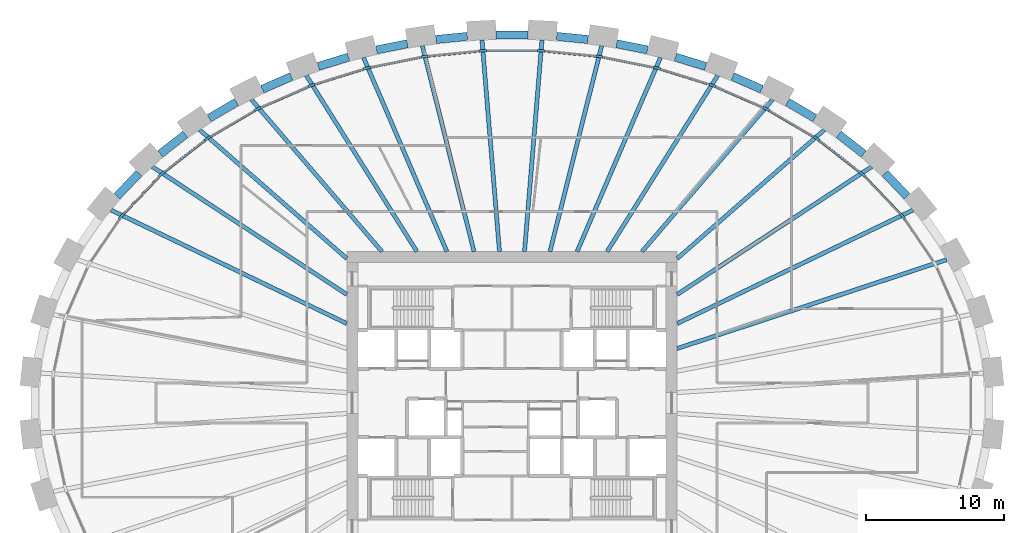
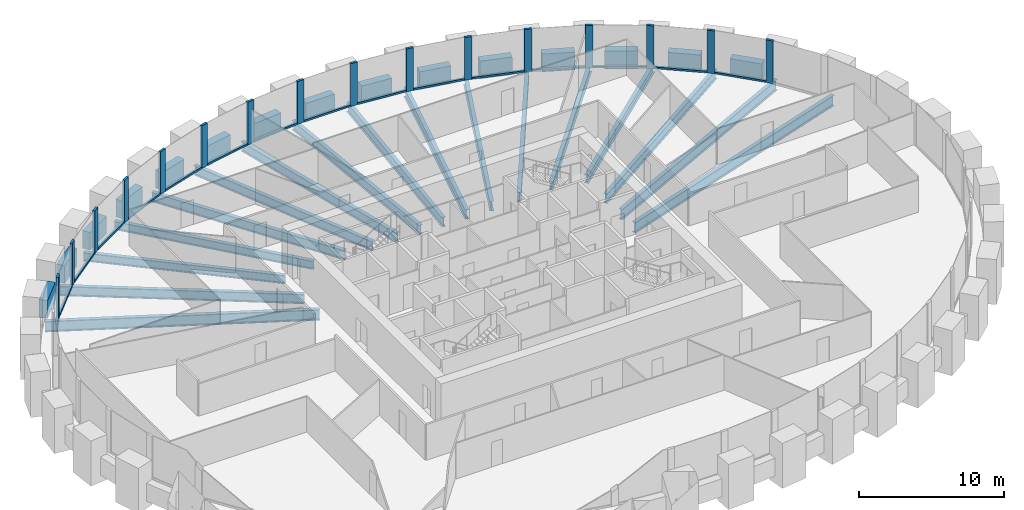
# One storey, part 3 of 11: 32 beams, 31 members, 1 element without a shape of its own.
"""IFC4 building model written with IfcOpenShell, lengths in metres."""

from ifc_helpers import new_model, si_unit, direction, frame, origin, origin_2d, place, context, subcontext, project, spatial, rectangle, i_section, extrude, source, transform, mapped, material, material_profile, profile_set, type_object, element, aggregate, save


model = new_model("IFC4")

# Units and contexts
model_context = context("Model", 3, precision=1e-05, world=origin(), true_north=direction((0.0, 1.0)))
body_context = subcontext(model_context, "Body", "Model", "MODEL_VIEW")
ifc_project = project(units=[si_unit("LENGTHUNIT", "METRE"), si_unit("AREAUNIT", "SQUARE_METRE"), si_unit("VOLUMEUNIT", "CUBIC_METRE"), si_unit("PLANEANGLEUNIT", "RADIAN"), si_unit("MASSUNIT", "GRAM", prefix="KILO")], contexts=[model_context])

# Site, building, storey
site_placement = place(None, origin())
site = spatial("IfcSite", under=ifc_project, at=site_placement, CompositionType="ELEMENT")
building_placement = place(site_placement, origin())
building = spatial("IfcBuilding", under=site, at=building_placement, Name="Embergate Tower", CompositionType="ELEMENT")
storey_placement = place(building_placement, frame((0.0, 0.0, 230.699951171875)))
storey = spatial("IfcBuildingStorey", under=building, at=storey_placement, Name="L53", CompositionType="ELEMENT", Elevation=230.699951171875)

# Beams
ifc_material_1 = material(Name="Concrete C60", Category="concrete")
ifc_material_profile_1 = material_profile(ifc_material_1, rectangle(XDim=0.60009765625, YDim=1.5, at=origin_2d()), Name="RC 600x1500")
ifc_profile_set_1 = profile_set([ifc_material_profile_1], Name="Concrete C60")
beam_type_1 = type_object("IfcBeamType", Name="Spandrel beam RC 600x1500 C60", PredefinedType="BEAM", material=ifc_profile_set_1)
shared_shape_1 = source(origin(), body_context, "Body", "SweptSolid", [
    extrude(rectangle(XDim=0.60009765625, YDim=1.5, at=origin_2d()), origin(), (0.0, 0.0, 1.0), 2.30712890625),
])
for number, where, z_axis, x_axis, name in (
    (1, (28.697998046875, 15.01611328125, 0.0), (-0.690460646057, 0.723369958076, 0.0), (-0.723369958076, -0.690460646057, 0.0), "SPN-L53-03"),
    (2, (-27.10498046875, 16.68505859375, 0.0), (-0.690460646057, -0.723369958076, 0.0), (0.723369958076, -0.690460646057, 0.0), "SPN-L53-17"),
):
    element("IfcBeam", number, at=place(storey_placement, frame(where, z_axis=z_axis, x_axis=x_axis)), inside=storey, type_object=beam_type_1, Name=name, PredefinedType="BEAM", context=body_context, shape_type="MappedRepresentation", body=[
        mapped(shared_shape_1, transform((0.0, 0.0, 0.0))),
    ])
shared_shape_2 = source(origin(), body_context, "Body", "SweptSolid", [
    extrude(rectangle(XDim=0.60009765625, YDim=1.5, at=origin_2d()), origin(), (0.0, 0.0, 1.0), 2.30224609375),
])
for number, where, z_axis, x_axis, name in (
    (3, (25.549072265625, 18.094970703125, 0.0), (-0.788466304813, 0.6150779513, 0.0), (-0.6150779513, -0.788466304813, 0.0), "SPN-L53-04"),
    (4, (-23.73388671875, 19.510986328125, 0.0), (-0.788466304813, -0.6150779513, 0.0), (0.6150779513, -0.788466304813, 0.0), "SPN-L53-16"),
):
    element("IfcBeam", number, at=place(storey_placement, frame(where, z_axis=z_axis, x_axis=x_axis)), inside=storey, type_object=beam_type_1, Name=name, PredefinedType="BEAM", context=body_context, shape_type="MappedRepresentation", body=[
        mapped(shared_shape_2, transform((0.0, 0.0, 0.0))),
    ])
shared_shape_3 = source(origin(), body_context, "Body", "SweptSolid", [
    extrude(rectangle(XDim=0.60009765625, YDim=1.5, at=origin_2d()), origin(), (0.0, 0.0, 1.0), 2.29931640625),
])
for number, where, z_axis, x_axis, name in (
    (5, (21.9970703125, 20.69189453125, 0.0), (-0.86211432003, 0.506713823769, 0.0), (-0.506713823769, -0.86211432003, 0.0), "SPN-L53-05"),
    (6, (-20.014892578125, 21.85693359375, 0.0), (-0.86211432003, -0.506713823769, 0.0), (0.506713823769, -0.86211432003, 0.0), "SPN-L53-15"),
):
    element("IfcBeam", number, at=place(storey_placement, frame(where, z_axis=z_axis, x_axis=x_axis)), inside=storey, type_object=beam_type_1, Name=name, PredefinedType="BEAM", context=body_context, shape_type="MappedRepresentation", body=[
        mapped(shared_shape_3, transform((0.0, 0.0, 0.0))),
    ])
shared_shape_4 = source(origin(), body_context, "Body", "SweptSolid", [
    extrude(rectangle(XDim=0.60009765625, YDim=1.5, at=origin_2d()), origin(), (0.0, 0.0, 1.0), 2.294189453125),
])
for number, where, z_axis, x_axis, name in (
    (7, (18.135986328125, 22.7939453125, 0.0), (-0.916269649714, 0.400562016437, 0.0), (-0.400562016437, -0.916269649714, 0.0), "SPN-L53-06"),
    (8, (-16.033935546875, 23.712890625, 0.0), (-0.916269649714, -0.400562016437, 0.0), (0.400562016437, -0.916269649714, 0.0), "SPN-L53-14"),
):
    element("IfcBeam", number, at=place(storey_placement, frame(where, z_axis=z_axis, x_axis=x_axis)), inside=storey, type_object=beam_type_1, Name=name, PredefinedType="BEAM", context=body_context, shape_type="MappedRepresentation", body=[
        mapped(shared_shape_4, transform((0.0, 0.0, 0.0))),
    ])
shared_shape_5 = source(origin(), body_context, "Body", "SweptSolid", [
    extrude(rectangle(XDim=0.60009765625, YDim=1.5, at=origin_2d()), origin(), (0.0, 0.0, 1.0), 2.29248046875),
])
for number, where, z_axis, x_axis, name in (
    (9, (14.06689453125, 24.447021484375, 0.0), (-0.954869530389, 0.297025554345, 0.0), (-0.297025554345, -0.954869530389, 0.0), "SPN-L53-07"),
    (10, (-11.8779296875, 25.1279296875, 0.0), (-0.954869530389, -0.297025554345, 0.0), (0.297025554345, -0.954869530389, 0.0), "SPN-L53-13"),
):
    element("IfcBeam", number, at=place(storey_placement, frame(where, z_axis=z_axis, x_axis=x_axis)), inside=storey, type_object=beam_type_1, Name=name, PredefinedType="BEAM", context=body_context, shape_type="MappedRepresentation", body=[
        mapped(shared_shape_5, transform((0.0, 0.0, 0.0))),
    ])
shared_shape_6 = source(origin(), body_context, "Body", "SweptSolid", [
    extrude(rectangle(XDim=0.60009765625, YDim=1.5, at=origin_2d()), origin(), (0.0, 0.0, 1.0), 2.289794921875),
])
for number, where, z_axis, x_axis, name in (
    (11, (9.843017578125, 25.64794921875, 0.0), (-0.980502681686, 0.196505702735, 0.0), (-0.196505702735, -0.980502681686, 0.0), "SPN-L53-08"),
    (12, (-7.597900390625, 26.097900390625, 0.0), (-0.980502681686, -0.196505702735, 0.0), (0.196505702735, -0.980502681686, 0.0), "SPN-L53-12"),
):
    element("IfcBeam", number, at=place(storey_placement, frame(where, z_axis=z_axis, x_axis=x_axis)), inside=storey, type_object=beam_type_1, Name=name, PredefinedType="BEAM", context=body_context, shape_type="MappedRepresentation", body=[
        mapped(shared_shape_6, transform((0.0, 0.0, 0.0))),
    ])
shared_shape_7 = source(origin(), body_context, "Body", "SweptSolid", [
    extrude(rectangle(XDim=0.60009765625, YDim=1.5, at=origin_2d()), origin(), (0.0, 0.0, 1.0), 2.2890625),
])
for number, where, z_axis, x_axis, name in (
    (13, (5.52099609375, 26.407958984375, 0.0), (-0.995195366702, 0.097909050116, 0.0), (-0.097909050116, -0.995195366702, 0.0), "SPN-L53-09"),
    (14, (-3.242919921875, 26.632080078125, 0.0), (-0.995195366702, -0.097909050116, 0.0), (0.097909050116, -0.995195366702, 0.0), "SPN-L53-11"),
):
    element("IfcBeam", number, at=place(storey_placement, frame(where, z_axis=z_axis, x_axis=x_axis)), inside=storey, type_object=beam_type_1, Name=name, PredefinedType="BEAM", context=body_context, shape_type="MappedRepresentation", body=[
        mapped(shared_shape_7, transform((0.0, 0.0, 0.0))),
    ])
shared_shape_8 = source(origin(), body_context, "Body", "SweptSolid", [
    extrude(rectangle(XDim=0.60009765625, YDim=1.5, at=origin_2d()), origin(), (0.0, 0.0, 1.0), 2.2900390625),
])
beam_1_placement = place(storey_placement, frame((1.14501953125, 26.735107421875, 0.0), z_axis=(-1.0, 0.0, 0.0), x_axis=(0.0, -1.0, 0.0)))
element("IfcBeam", 15, at=beam_1_placement, inside=storey, type_object=beam_type_1, Name="SPN-L53-10", PredefinedType="BEAM", context=body_context, shape_type="MappedRepresentation", body=[
    mapped(shared_shape_8, transform((0.0, 0.0, 0.0))),
])
ifc_material_2 = material(Name="Steel Q355B", Category="steel")
ifc_material_profile_2 = material_profile(ifc_material_2, i_section(OverallWidth=0.300048828125, OverallDepth=0.89990234375, WebThickness=0.01611328125, FlangeThickness=0.028076171875, FilletRadius=0.028076171875, at=origin_2d()), Name="HN 900x300x16x28")
ifc_profile_set_2 = profile_set([ifc_material_profile_2], Name="Steel Q355 grade B")
beam_type_2 = type_object("IfcBeamType", Name="Radial girder HN 900x300x16x28", PredefinedType="BEAM", material=ifc_profile_set_2)
shared_shape_9 = source(origin(), body_context, "Body", "SweptSolid", [
    extrude(i_section(OverallWidth=0.300048828125, OverallDepth=0.89990234375, WebThickness=0.01611328125, FlangeThickness=0.028076171875, FilletRadius=0.028076171875, at=origin_2d()), origin(), (0.0, 0.0, 1.0), 20.614013671875),
])
beam_2_placement = place(storey_placement, frame((31.576904296875, 10.4130859375, -0.64990234375), z_axis=(-0.949691049508, -0.313188298767, 0.0), x_axis=(0.313188298767, -0.949691049508, 0.0)))
element("IfcBeam", 16, at=beam_2_placement, inside=storey, type_object=beam_type_2, Name="GIR-L53-02", PredefinedType="BEAM", context=body_context, shape_type="MappedRepresentation", body=[
    mapped(shared_shape_9, transform((0.0, 0.0, 0.0))),
])
shared_shape_10 = source(origin(), body_context, "Body", "SweptSolid", [
    extrude(i_section(OverallWidth=0.300048828125, OverallDepth=0.89990234375, WebThickness=0.01611328125, FlangeThickness=0.028076171875, FilletRadius=0.028076171875, at=origin_2d()), origin(), (0.0, 0.0, 1.0), 19.0078125),
])
for number, where, z_axis, x_axis, name in (
    (17, (29.12890625, 14.012939453125, -0.64990234375), (-0.901150926949, -0.433505486538, 0.0), (0.433505486538, -0.901150926949, 0.0), "GIR-L53-03"),
    (18, (-29.12890625, 14.012939453125, -0.64990234375), (0.901150926949, -0.433505486538, 0.0), (0.433505486538, 0.901150926949, 0.0), "GIR-L53-18"),
):
    element("IfcBeam", number, at=place(storey_placement, frame(where, z_axis=z_axis, x_axis=x_axis)), inside=storey, type_object=beam_type_2, Name=name, PredefinedType="BEAM", context=body_context, shape_type="MappedRepresentation", body=[
        mapped(shared_shape_10, transform((0.0, 0.0, 0.0))),
    ])
ifc_material_profile_3 = material_profile(ifc_material_2, i_section(OverallWidth=0.300048828125, OverallDepth=0.800048828125, WebThickness=0.013916015625, FlangeThickness=0.02587890625, FilletRadius=0.028076171875, at=origin_2d()), Name="HN 800x300x14x26")
ifc_profile_set_3 = profile_set([ifc_material_profile_3], Name="Steel Q355 grade B")
beam_type_3 = type_object("IfcBeamType", Name="Radial girder HN 800x300x14x26", PredefinedType="BEAM", material=ifc_profile_set_3)
shared_shape_11 = source(origin(), body_context, "Body", "SweptSolid", [
    extrude(i_section(OverallWidth=0.300048828125, OverallDepth=0.800048828125, WebThickness=0.013916015625, FlangeThickness=0.02587890625, FilletRadius=0.028076171875, at=origin_2d()), origin(), (0.0, 0.0, 1.0), 16.89990234375),
])
for number, where, z_axis, x_axis, name in (
    (19, (26.1240234375, 17.1640625, -0.599853515625), (-0.83574544769, -0.549117060986, 0.0), (0.549117060986, -0.83574544769, 0.0), "GIR-L53-04"),
    (20, (-26.1240234375, 17.1640625, -0.599853515625), (0.83574544769, -0.549117060986, 0.0), (0.549117060986, 0.83574544769, 0.0), "GIR-L53-17"),
):
    element("IfcBeam", number, at=place(storey_placement, frame(where, z_axis=z_axis, x_axis=x_axis)), inside=storey, type_object=beam_type_3, Name=name, PredefinedType="BEAM", context=body_context, shape_type="MappedRepresentation", body=[
        mapped(shared_shape_11, transform((0.0, 0.0, 0.0))),
    ])
ifc_material_profile_4 = material_profile(ifc_material_2, i_section(OverallWidth=0.300048828125, OverallDepth=0.699951171875, WebThickness=0.012939453125, FlangeThickness=0.02392578125, FilletRadius=0.01806640625, at=origin_2d()), Name="HN 700x300x13x24")
ifc_profile_set_4 = profile_set([ifc_material_profile_4], Name="Steel Q355 grade B")
beam_type_4 = type_object("IfcBeamType", Name="Radial girder HN 700x300x13x24", PredefinedType="BEAM", material=ifc_profile_set_4)
shared_shape_12 = source(origin(), body_context, "Body", "SweptSolid", [
    extrude(i_section(OverallWidth=0.300048828125, OverallDepth=0.699951171875, WebThickness=0.012939453125, FlangeThickness=0.02392578125, FilletRadius=0.01806640625, at=origin_2d()), origin(), (0.0, 0.0, 1.0), 14.2021484375),
])
for number, where, z_axis, x_axis, name in (
    (21, (22.69091796875, 19.843017578125, -0.550048828125), (-0.752766213958, -0.658287951525, 0.0), (0.658287951525, -0.752766213958, 0.0), "GIR-L53-05"),
    (22, (-22.69091796875, 19.843017578125, -0.550048828125), (0.752766213958, -0.658287951525, 0.0), (0.658287951525, 0.752766213958, 0.0), "GIR-L53-16"),
):
    element("IfcBeam", number, at=place(storey_placement, frame(where, z_axis=z_axis, x_axis=x_axis)), inside=storey, type_object=beam_type_4, Name=name, PredefinedType="BEAM", context=body_context, shape_type="MappedRepresentation", body=[
        mapped(shared_shape_12, transform((0.0, 0.0, 0.0))),
    ])
shared_shape_13 = source(origin(), body_context, "Body", "SweptSolid", [
    extrude(i_section(OverallWidth=0.300048828125, OverallDepth=0.699951171875, WebThickness=0.012939453125, FlangeThickness=0.02392578125, FilletRadius=0.01806640625, at=origin_2d()), origin(), (0.0, 0.0, 1.0), 14.566650390625),
])
for number, where, z_axis, x_axis, name in (
    (23, (18.93603515625, 22.051025390625, -0.550048828125), (-0.651490890216, -0.758656457144, 0.0), (0.758656457144, -0.651490890216, 0.0), "GIR-L53-06"),
    (24, (-18.93603515625, 22.051025390625, -0.550048828125), (0.651490890216, -0.758656457144, 0.0), (0.758656457144, 0.651490890216, 0.0), "GIR-L53-15"),
):
    element("IfcBeam", number, at=place(storey_placement, frame(where, z_axis=z_axis, x_axis=x_axis)), inside=storey, type_object=beam_type_4, Name=name, PredefinedType="BEAM", context=body_context, shape_type="MappedRepresentation", body=[
        mapped(shared_shape_13, transform((0.0, 0.0, 0.0))),
    ])
shared_shape_14 = source(origin(), body_context, "Body", "SweptSolid", [
    extrude(i_section(OverallWidth=0.300048828125, OverallDepth=0.800048828125, WebThickness=0.013916015625, FlangeThickness=0.02587890625, FilletRadius=0.028076171875, at=origin_2d()), origin(), (0.0, 0.0, 1.0), 15.111572265625),
])
for number, where, z_axis, x_axis, name in (
    (25, (14.945068359375, 23.797119140625, -0.599853515625), (-0.531849241283, -0.846839054689, 0.0), (0.846839054689, -0.531849241283, 0.0), "GIR-L53-07"),
    (26, (-14.945068359375, 23.797119140625, -0.599853515625), (0.531849241283, -0.846839054689, 0.0), (0.846839054689, 0.531849241283, 0.0), "GIR-L53-14"),
):
    element("IfcBeam", number, at=place(storey_placement, frame(where, z_axis=z_axis, x_axis=x_axis)), inside=storey, type_object=beam_type_3, Name=name, PredefinedType="BEAM", context=body_context, shape_type="MappedRepresentation", body=[
        mapped(shared_shape_14, transform((0.0, 0.0, 0.0))),
    ])
shared_shape_15 = source(origin(), body_context, "Body", "SweptSolid", [
    extrude(i_section(OverallWidth=0.300048828125, OverallDepth=0.800048828125, WebThickness=0.013916015625, FlangeThickness=0.02587890625, FilletRadius=0.028076171875, at=origin_2d()), origin(), (0.0, 0.0, 1.0), 15.338623046875),
])
for number, where, z_axis, x_axis, name in (
    (27, (10.784912109375, 25.092041015625, -0.599853515625), (-0.394879579292, -0.91873288711, 0.0), (0.91873288711, -0.394879579292, 0.0), "GIR-L53-08"),
    (28, (-10.784912109375, 25.092041015625, -0.599853515625), (0.394879579292, -0.91873288711, 0.0), (0.91873288711, 0.394879579292, 0.0), "GIR-L53-13"),
):
    element("IfcBeam", number, at=place(storey_placement, frame(where, z_axis=z_axis, x_axis=x_axis)), inside=storey, type_object=beam_type_3, Name=name, PredefinedType="BEAM", context=body_context, shape_type="MappedRepresentation", body=[
        mapped(shared_shape_15, transform((0.0, 0.0, 0.0))),
    ])
shared_shape_16 = source(origin(), body_context, "Body", "SweptSolid", [
    extrude(i_section(OverallWidth=0.300048828125, OverallDepth=0.800048828125, WebThickness=0.013916015625, FlangeThickness=0.02587890625, FilletRadius=0.028076171875, at=origin_2d()), origin(), (0.0, 0.0, 1.0), 15.412841796875),
])
for number, where, z_axis, x_axis, name in (
    (29, (6.513916015625, 25.948974609375, -0.599853515625), (-0.243493364417, -0.969902562882, 0.0), (0.969902562882, -0.243493364417, 0.0), "GIR-L53-09"),
    (30, (-6.513916015625, 25.948974609375, -0.599853515625), (0.243493364417, -0.969902562882, 0.0), (0.969902562882, 0.243493364417, 0.0), "GIR-L53-12"),
):
    element("IfcBeam", number, at=place(storey_placement, frame(where, z_axis=z_axis, x_axis=x_axis)), inside=storey, type_object=beam_type_3, Name=name, PredefinedType="BEAM", context=body_context, shape_type="MappedRepresentation", body=[
        mapped(shared_shape_16, transform((0.0, 0.0, 0.0))),
    ])
shared_shape_17 = source(origin(), body_context, "Body", "SweptSolid", [
    extrude(i_section(OverallWidth=0.300048828125, OverallDepth=0.800048828125, WebThickness=0.013916015625, FlangeThickness=0.02587890625, FilletRadius=0.028076171875, at=origin_2d()), origin(), (0.0, 0.0, 1.0), 15.42724609375),
])
for number, where, z_axis, x_axis, name in (
    (31, (2.178955078125, 26.375, -0.599853515625), (-0.0823225207, -0.996605740795, 0.0), (0.996605740795, -0.0823225207, 0.0), "GIR-L53-10"),
    (32, (-2.178955078125, 26.375, -0.599853515625), (0.0823225207, -0.996605740795, 0.0), (0.996605740795, 0.0823225207, 0.0), "GIR-L53-11"),
):
    element("IfcBeam", number, at=place(storey_placement, frame(where, z_axis=z_axis, x_axis=x_axis)), inside=storey, type_object=beam_type_3, Name=name, PredefinedType="BEAM", context=body_context, shape_type="MappedRepresentation", body=[
        mapped(shared_shape_17, transform((0.0, 0.0, 0.0))),
    ])

# Curtain wall, members
ifc_material_3 = material(Name="Aluminium and glass", Category="aluminium")
curtain_wall_type = type_object("IfcCurtainWallType", Name="Recessed office glazing", PredefinedType="NOTDEFINED", material=ifc_material_3)
curtain_wall_placement = place(storey_placement, origin())
curtain_wall = element("IfcCurtainWall", 33, at=curtain_wall_placement, inside=storey, type_object=curtain_wall_type, Name="Recessed office glazing ring", ObjectType="RECESSED OFFICE GLAZING", PredefinedType="USERDEFINED")
ifc_material_4 = material(Name="Aluminium, thermally broken", Category="aluminium")
ifc_material_profile_5 = material_profile(ifc_material_4, rectangle(XDim=0.179931640625, YDim=0.52001953125, at=origin_2d()), Name="AL 520x180")
ifc_profile_set_5 = profile_set([ifc_material_profile_5], Name="Aluminium, thermally broken")
member_type_1 = type_object("IfcMemberType", Name="Office mullion", PredefinedType="MULLION", material=ifc_profile_set_5)
shared_shape_18 = source(origin(), body_context, "Body", "SweptSolid", [
    extrude(rectangle(XDim=0.179931640625, YDim=0.52001953125, at=origin_2d()), origin(), (0.0, 0.0, 1.0), 3.60009765625),
])
member_1_placement = place(storey_placement, frame((28.3818359375, 13.552978515625, 0.0), z_axis=(0.0, 0.0, 1.0), x_axis=(-0.777860499375, -0.62843698452, 0.0)))
member_1 = element("IfcMember", 34, at=member_1_placement, type_object=member_type_1, Name="CW mullion 4", PredefinedType="MULLION", context=body_context, shape_type="MappedRepresentation", body=[
    mapped(shared_shape_18, transform((0.0, 0.0, 0.0))),
])
member_2_placement = place(storey_placement, frame((25.46435546875, 16.612060546875, 0.0), z_axis=(0.0, 0.0, 1.0), x_axis=(-0.67121489031, -0.741262821829, 0.0)))
member_2 = element("IfcMember", 35, at=member_2_placement, type_object=member_type_1, Name="CW mullion 5", PredefinedType="MULLION", context=body_context, shape_type="MappedRepresentation", body=[
    mapped(shared_shape_18, transform((0.0, 0.0, 0.0))),
])
member_3_placement = place(storey_placement, frame((22.126220703125, 19.21728515625, 0.0), z_axis=(0.0, 0.0, 1.0), x_axis=(-0.562204628156, -0.826998159659, 0.0)))
member_3 = element("IfcMember", 36, at=member_3_placement, type_object=member_type_1, Name="CW mullion 6", PredefinedType="MULLION", context=body_context, shape_type="MappedRepresentation", body=[
    mapped(shared_shape_18, transform((0.0, 0.0, 0.0))),
])
member_4_placement = place(storey_placement, frame((18.470703125, 21.366455078125, 0.0), z_axis=(0.0, 0.0, 1.0), x_axis=(-0.454500498039, -0.890746483171, 0.0)))
member_4 = element("IfcMember", 37, at=member_4_placement, type_object=member_type_1, Name="CW mullion 7", PredefinedType="MULLION", context=body_context, shape_type="MappedRepresentation", body=[
    mapped(shared_shape_18, transform((0.0, 0.0, 0.0))),
])
member_5_placement = place(storey_placement, frame((14.5810546875, 23.067138671875, 0.0), z_axis=(0.0, 0.0, 1.0), x_axis=(-0.349492871267, -0.93693902306, 0.0)))
member_5 = element("IfcMember", 38, at=member_5_placement, type_object=member_type_1, Name="CW mullion 8", PredefinedType="MULLION", context=body_context, shape_type="MappedRepresentation", body=[
    mapped(shared_shape_18, transform((0.0, 0.0, 0.0))),
])
member_6_placement = place(storey_placement, frame((10.52490234375, 24.330322265625, 0.0), z_axis=(0.0, 0.0, 1.0), x_axis=(-0.247305116915, -0.968937654933, 0.0)))
member_6 = element("IfcMember", 39, at=member_6_placement, type_object=member_type_1, Name="CW mullion 9", PredefinedType="MULLION", context=body_context, shape_type="MappedRepresentation", body=[
    mapped(shared_shape_18, transform((0.0, 0.0, 0.0))),
])
member_7_placement = place(storey_placement, frame((6.357421875, 25.166259765625, 0.0), z_axis=(0.0, 0.0, 1.0), x_axis=(-0.147407204031, -0.98907589001, 0.0)))
member_7 = element("IfcMember", 40, at=member_7_placement, type_object=member_type_1, Name="CW mullion 10", PredefinedType="MULLION", context=body_context, shape_type="MappedRepresentation", body=[
    mapped(shared_shape_18, transform((0.0, 0.0, 0.0))),
])
member_8_placement = place(storey_placement, frame((2.126220703125, 25.58203125, 0.0), z_axis=(0.0, 0.0, 1.0), x_axis=(-0.048970053385, -0.998800247232, 0.0)))
member_8 = element("IfcMember", 41, at=member_8_placement, type_object=member_type_1, Name="CW mullion 11", PredefinedType="MULLION", context=body_context, shape_type="MappedRepresentation", body=[
    mapped(shared_shape_18, transform((0.0, 0.0, 0.0))),
])
member_9_placement = place(storey_placement, frame((-2.126220703125, 25.58203125, 0.0), z_axis=(0.0, 0.0, 1.0), x_axis=(0.048970053385, -0.998800247232, 0.0)))
member_9 = element("IfcMember", 42, at=member_9_placement, type_object=member_type_1, Name="CW mullion 12", PredefinedType="MULLION", context=body_context, shape_type="MappedRepresentation", body=[
    mapped(shared_shape_18, transform((0.0, 0.0, 0.0))),
])
member_10_placement = place(storey_placement, frame((-6.357421875, 25.166259765625, 0.0), z_axis=(0.0, 0.0, 1.0), x_axis=(0.147407204031, -0.98907589001, 0.0)))
member_10 = element("IfcMember", 43, at=member_10_placement, type_object=member_type_1, Name="CW mullion 13", PredefinedType="MULLION", context=body_context, shape_type="MappedRepresentation", body=[
    mapped(shared_shape_18, transform((0.0, 0.0, 0.0))),
])
member_11_placement = place(storey_placement, frame((-10.52490234375, 24.330322265625, 0.0), z_axis=(0.0, 0.0, 1.0), x_axis=(0.247305116915, -0.968937654933, 0.0)))
member_11 = element("IfcMember", 44, at=member_11_placement, type_object=member_type_1, Name="CW mullion 14", PredefinedType="MULLION", context=body_context, shape_type="MappedRepresentation", body=[
    mapped(shared_shape_18, transform((0.0, 0.0, 0.0))),
])
member_12_placement = place(storey_placement, frame((-14.5810546875, 23.067138671875, 0.0), z_axis=(0.0, 0.0, 1.0), x_axis=(0.349492871267, -0.93693902306, 0.0)))
member_12 = element("IfcMember", 45, at=member_12_placement, type_object=member_type_1, Name="CW mullion 15", PredefinedType="MULLION", context=body_context, shape_type="MappedRepresentation", body=[
    mapped(shared_shape_18, transform((0.0, 0.0, 0.0))),
])
member_13_placement = place(storey_placement, frame((-18.470703125, 21.366455078125, 0.0), z_axis=(0.0, 0.0, 1.0), x_axis=(0.454500498039, -0.890746483171, 0.0)))
member_13 = element("IfcMember", 46, at=member_13_placement, type_object=member_type_1, Name="CW mullion 16", PredefinedType="MULLION", context=body_context, shape_type="MappedRepresentation", body=[
    mapped(shared_shape_18, transform((0.0, 0.0, 0.0))),
])
member_14_placement = place(storey_placement, frame((-22.126220703125, 19.21728515625, 0.0), z_axis=(0.0, 0.0, 1.0), x_axis=(0.562204628156, -0.826998159659, 0.0)))
member_14 = element("IfcMember", 47, at=member_14_placement, type_object=member_type_1, Name="CW mullion 17", PredefinedType="MULLION", context=body_context, shape_type="MappedRepresentation", body=[
    mapped(shared_shape_18, transform((0.0, 0.0, 0.0))),
])
member_15_placement = place(storey_placement, frame((-25.46435546875, 16.612060546875, 0.0), z_axis=(0.0, 0.0, 1.0), x_axis=(0.67121489031, -0.741262821829, 0.0)))
member_15 = element("IfcMember", 48, at=member_15_placement, type_object=member_type_1, Name="CW mullion 18", PredefinedType="MULLION", context=body_context, shape_type="MappedRepresentation", body=[
    mapped(shared_shape_18, transform((0.0, 0.0, 0.0))),
])
member_16_placement = place(storey_placement, frame((-28.3818359375, 13.552978515625, 0.0), z_axis=(0.0, 0.0, 1.0), x_axis=(0.777860499375, -0.62843698452, 0.0)))
member_16 = element("IfcMember", 49, at=member_16_placement, type_object=member_type_1, Name="CW mullion 19", PredefinedType="MULLION", context=body_context, shape_type="MappedRepresentation", body=[
    mapped(shared_shape_18, transform((0.0, 0.0, 0.0))),
])
ifc_material_profile_6 = material_profile(ifc_material_4, rectangle(XDim=0.179931640625, YDim=0.14990234375, at=origin_2d()), Name="AL 150x180")
ifc_profile_set_6 = profile_set([ifc_material_profile_6], Name="Aluminium, thermally broken")
member_type_2 = type_object("IfcMemberType", Name="Office sill transom", PredefinedType="USERDEFINED", material=ifc_profile_set_6)
shared_shape_19 = source(origin(), body_context, "Body", "SweptSolid", [
    extrude(rectangle(XDim=0.179931640625, YDim=0.14990234375, at=origin_2d()), origin(), (0.0, 0.0, 1.0), 3.707275390625),
])
member_17_placement = place(storey_placement, frame((28.202392578125, 13.740966796875, 0.074951171875), z_axis=(-0.69014832896, 0.723667937685, 0.0), x_axis=(-0.723667937685, -0.69014832896, 0.0)))
member_17 = element("IfcMember", 50, at=member_17_placement, type_object=member_type_2, Name="CW transom 4.1", ObjectType="TRANSOM", PredefinedType="USERDEFINED", context=body_context, shape_type="MappedRepresentation", body=[
    mapped(shared_shape_19, transform((0.0, 0.0, 0.0))),
])
member_18_placement = place(storey_placement, frame((-25.643798828125, 16.423828125, 0.074951171875), z_axis=(-0.69014832896, -0.723667937685, 0.0), x_axis=(0.723667937685, -0.69014832896, 0.0)))
member_18 = element("IfcMember", 51, at=member_18_placement, type_object=member_type_2, Name="CW transom 18.1", ObjectType="TRANSOM", PredefinedType="USERDEFINED", context=body_context, shape_type="MappedRepresentation", body=[
    mapped(shared_shape_19, transform((0.0, 0.0, 0.0))),
])
shared_shape_20 = source(origin(), body_context, "Body", "SweptSolid", [
    extrude(rectangle(XDim=0.179931640625, YDim=0.14990234375, at=origin_2d()), origin(), (0.0, 0.0, 1.0), 3.714599609375),
])
member_19_placement = place(storey_placement, frame((25.259521484375, 16.77197265625, 0.074951171875), z_axis=(-0.788346104957, 0.615232004043, 0.0), x_axis=(-0.615232004043, -0.788346104957, 0.0)))
member_19 = element("IfcMember", 52, at=member_19_placement, type_object=member_type_2, Name="CW transom 5.1", ObjectType="TRANSOM", PredefinedType="USERDEFINED", context=body_context, shape_type="MappedRepresentation", body=[
    mapped(shared_shape_20, transform((0.0, 0.0, 0.0))),
])
member_20_placement = place(storey_placement, frame((-22.3310546875, 19.057373046875, 0.074951171875), z_axis=(-0.788346104957, -0.615232004043, 0.0), x_axis=(0.615232004043, -0.788346104957, 0.0)))
member_20 = element("IfcMember", 53, at=member_20_placement, type_object=member_type_2, Name="CW transom 17.1", ObjectType="TRANSOM", PredefinedType="USERDEFINED", context=body_context, shape_type="MappedRepresentation", body=[
    mapped(shared_shape_20, transform((0.0, 0.0, 0.0))),
])
shared_shape_21 = source(origin(), body_context, "Body", "SweptSolid", [
    extrude(rectangle(XDim=0.179931640625, YDim=0.14990234375, at=origin_2d()), origin(), (0.0, 0.0, 1.0), 3.720703125),
])
member_21_placement = place(storey_placement, frame((21.902099609375, 19.34912109375, 0.074951171875), z_axis=(-0.862084305092, 0.506764887215, 0.0), x_axis=(-0.506764887215, -0.862084305092, 0.0)))
member_21 = element("IfcMember", 54, at=member_21_placement, type_object=member_type_2, Name="CW transom 6.1", ObjectType="TRANSOM", PredefinedType="USERDEFINED", context=body_context, shape_type="MappedRepresentation", body=[
    mapped(shared_shape_21, transform((0.0, 0.0, 0.0))),
])
member_22_placement = place(storey_placement, frame((-18.694580078125, 21.234619140625, 0.074951171875), z_axis=(-0.862084305092, -0.506764887215, 0.0), x_axis=(0.506764887215, -0.862084305092, 0.0)))
member_22 = element("IfcMember", 55, at=member_22_placement, type_object=member_type_2, Name="CW transom 16.1", ObjectType="TRANSOM", PredefinedType="USERDEFINED", context=body_context, shape_type="MappedRepresentation", body=[
    mapped(shared_shape_21, transform((0.0, 0.0, 0.0))),
])
shared_shape_22 = source(origin(), body_context, "Body", "SweptSolid", [
    extrude(rectangle(XDim=0.179931640625, YDim=0.14990234375, at=origin_2d()), origin(), (0.0, 0.0, 1.0), 3.72509765625),
])
member_23_placement = place(storey_placement, frame((18.232421875, 21.470703125, 0.074951171875), z_axis=(-0.916259591607, 0.400585023169, 0.0), x_axis=(-0.400585023169, -0.916259591607, 0.0)))
member_23 = element("IfcMember", 56, at=member_23_placement, type_object=member_type_2, Name="CW transom 7.1", ObjectType="TRANSOM", PredefinedType="USERDEFINED", context=body_context, shape_type="MappedRepresentation", body=[
    mapped(shared_shape_22, transform((0.0, 0.0, 0.0))),
])
member_24_placement = place(storey_placement, frame((-14.8193359375, 22.962890625, 0.074951171875), z_axis=(-0.916259591607, -0.400585023169, 0.0), x_axis=(0.400585023169, -0.916259591607, 0.0)))
member_24 = element("IfcMember", 57, at=member_24_placement, type_object=member_type_2, Name="CW transom 15.1", ObjectType="TRANSOM", PredefinedType="USERDEFINED", context=body_context, shape_type="MappedRepresentation", body=[
    mapped(shared_shape_22, transform((0.0, 0.0, 0.0))),
])
shared_shape_23 = source(origin(), body_context, "Body", "SweptSolid", [
    extrude(rectangle(XDim=0.179931640625, YDim=0.14990234375, at=origin_2d()), origin(), (0.0, 0.0, 1.0), 3.728515625),
])
member_25_placement = place(storey_placement, frame((14.3330078125, 23.14453125, 0.074951171875), z_axis=(-0.954769644307, 0.297346475194, 0.0), x_axis=(-0.297346475194, -0.954769644307, 0.0)))
member_25 = element("IfcMember", 58, at=member_25_placement, type_object=member_type_2, Name="CW transom 8.1", ObjectType="TRANSOM", PredefinedType="USERDEFINED", context=body_context, shape_type="MappedRepresentation", body=[
    mapped(shared_shape_23, transform((0.0, 0.0, 0.0))),
])
member_26_placement = place(storey_placement, frame((-10.773193359375, 24.253173828125, 0.074951171875), z_axis=(-0.954769644307, -0.297346475194, 0.0), x_axis=(0.297346475194, -0.954769644307, 0.0)))
member_26 = element("IfcMember", 59, at=member_26_placement, type_object=member_type_2, Name="CW transom 14.1", ObjectType="TRANSOM", PredefinedType="USERDEFINED", context=body_context, shape_type="MappedRepresentation", body=[
    mapped(shared_shape_23, transform((0.0, 0.0, 0.0))),
])
shared_shape_24 = source(origin(), body_context, "Body", "SweptSolid", [
    extrude(rectangle(XDim=0.179931640625, YDim=0.14990234375, at=origin_2d()), origin(), (0.0, 0.0, 1.0), 3.73046875),
])
member_27_placement = place(storey_placement, frame((10.27001953125, 24.381591796875, 0.074951171875), z_axis=(-0.98048490986, 0.196594357844, 0.0), x_axis=(-0.196594357844, -0.98048490986, 0.0)))
member_27 = element("IfcMember", 60, at=member_27_placement, type_object=member_type_2, Name="CW transom 9.1", ObjectType="TRANSOM", PredefinedType="USERDEFINED", context=body_context, shape_type="MappedRepresentation", body=[
    mapped(shared_shape_24, transform((0.0, 0.0, 0.0))),
])
member_28_placement = place(storey_placement, frame((-6.6123046875, 25.114990234375, 0.074951171875), z_axis=(-0.98048490986, -0.196594357844, 0.0), x_axis=(0.196594357844, -0.98048490986, 0.0)))
member_28 = element("IfcMember", 61, at=member_28_placement, type_object=member_type_2, Name="CW transom 13.1", ObjectType="TRANSOM", PredefinedType="USERDEFINED", context=body_context, shape_type="MappedRepresentation", body=[
    mapped(shared_shape_24, transform((0.0, 0.0, 0.0))),
])
shared_shape_25 = source(origin(), body_context, "Body", "SweptSolid", [
    extrude(rectangle(XDim=0.179931640625, YDim=0.14990234375, at=origin_2d()), origin(), (0.0, 0.0, 1.0), 3.731689453125),
])
member_29_placement = place(storey_placement, frame((6.0986328125, 25.191650390625, 0.074951171875), z_axis=(-0.995205452535, 0.097806478539, 0.0), x_axis=(-0.097806478539, -0.995205452535, 0.0)))
member_29 = element("IfcMember", 62, at=member_29_placement, type_object=member_type_2, Name="CW transom 10.1", ObjectType="TRANSOM", PredefinedType="USERDEFINED", context=body_context, shape_type="MappedRepresentation", body=[
    mapped(shared_shape_25, transform((0.0, 0.0, 0.0))),
])
member_30_placement = place(storey_placement, frame((-2.384765625, 25.556640625, 0.074951171875), z_axis=(-0.995205452535, -0.097806478539, 0.0), x_axis=(0.097806478539, -0.995205452535, 0.0)))
member_30 = element("IfcMember", 63, at=member_30_placement, type_object=member_type_2, Name="CW transom 12.1", ObjectType="TRANSOM", PredefinedType="USERDEFINED", context=body_context, shape_type="MappedRepresentation", body=[
    mapped(shared_shape_25, transform((0.0, 0.0, 0.0))),
])
shared_shape_26 = source(origin(), body_context, "Body", "SweptSolid", [
    extrude(rectangle(XDim=0.179931640625, YDim=0.14990234375, at=origin_2d()), origin(), (0.0, 0.0, 1.0), 3.732421875),
])
member_31_placement = place(storey_placement, frame((1.8662109375, 25.58203125, 0.074951171875), z_axis=(-1.0, 0.0, 0.0), x_axis=(0.0, -1.0, 0.0)))
member_31 = element("IfcMember", 64, at=member_31_placement, type_object=member_type_2, Name="CW transom 11.1", ObjectType="TRANSOM", PredefinedType="USERDEFINED", context=body_context, shape_type="MappedRepresentation", body=[
    mapped(shared_shape_26, transform((0.0, 0.0, 0.0))),
])
aggregate(curtain_wall, [member_1, member_2, member_3, member_4, member_5, member_6, member_7, member_8, member_9, member_10, member_11, member_12, member_13, member_14, member_15, member_16, member_17, member_19, member_21, member_23, member_25, member_27, member_29, member_31, member_30, member_28, member_26, member_24, member_22, member_20, member_18])

save(model, "model.ifc")
